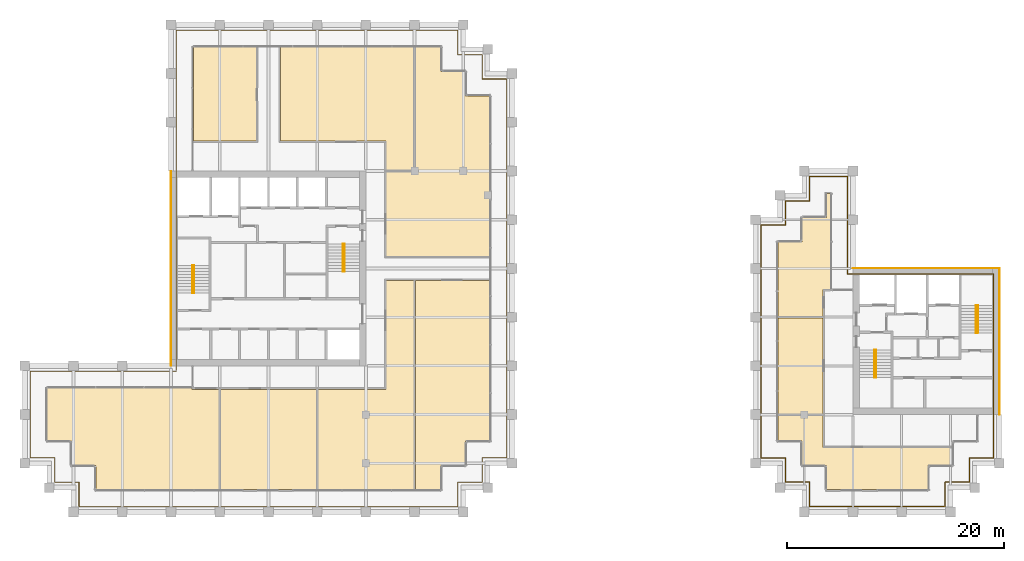
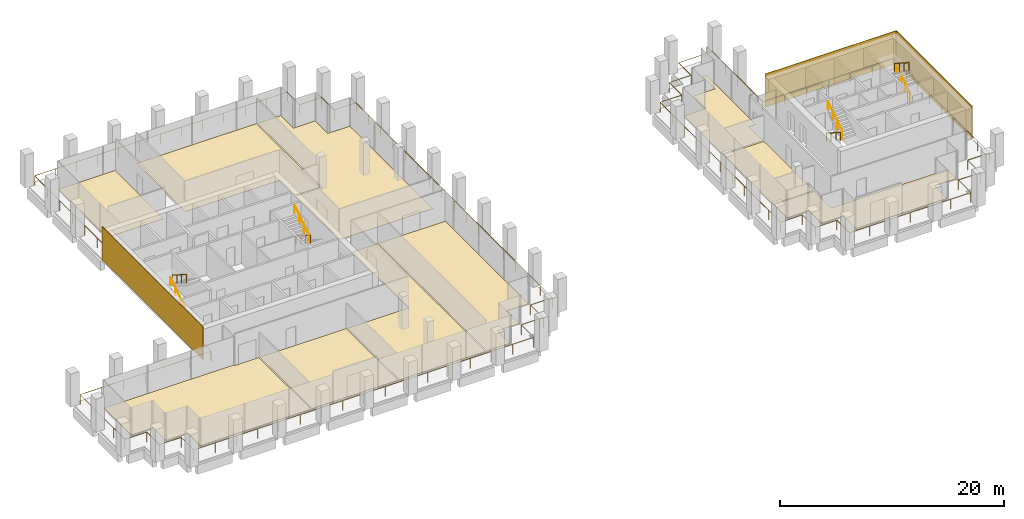
# One storey, part 40 of 40: 13 coverings, 10 railings.
"""IFC4 building model written with IfcOpenShell, lengths in metres."""

from ifc_helpers import new_model, si_unit, direction, frame, origin, origin_2d, place, context, subcontext, project, spatial, polyline, rectangle, circle, outline, extrude, source, transform, mapped, material, layer, layer_set, type_object, element, save


model = new_model("IFC4")

# Units and contexts
model_context = context("Model", 3, precision=1e-05, world=origin(), true_north=direction((0.0, 1.0)))
body_context = subcontext(model_context, "Body", "Model", "MODEL_VIEW")
ifc_project = project(units=[si_unit("LENGTHUNIT", "METRE"), si_unit("AREAUNIT", "SQUARE_METRE"), si_unit("VOLUMEUNIT", "CUBIC_METRE"), si_unit("PLANEANGLEUNIT", "RADIAN"), si_unit("MASSUNIT", "GRAM", prefix="KILO")], contexts=[model_context])

# Site, building, storey
site_placement = place(None, origin())
site = spatial("IfcSite", under=ifc_project, at=site_placement, CompositionType="ELEMENT")
building_placement = place(site_placement, origin())
building = spatial("IfcBuilding", under=site, at=building_placement, Name="Altepetl Exchange Towers", CompositionType="ELEMENT")
storey_placement = place(building_placement, frame((0.0, 0.0, 161.800048828125)))
storey = spatial("IfcBuildingStorey", under=building, at=storey_placement, Name="L40", CompositionType="ELEMENT", Elevation=161.800048828125)

# Coverings
ifc_material_1 = material(Name="Carpet tile")
ifc_layer_1 = layer(ifc_material_1, 0.02001953125)
ifc_layer_set_1 = layer_set([ifc_layer_1], Name="Carpet tile")
covering_type_1 = type_object("IfcCoveringType", Name="Carpet tile floor", PredefinedType="FLOORING", material=ifc_layer_set_1)
covering_1_placement = place(storey_placement, origin())
element("IfcCovering", 1, at=covering_1_placement, inside=storey, type_object=covering_type_1, Name="Interview room floor finish A40.03", PredefinedType="FLOORING", context=body_context, shape_type="SweptSolid", body=[
    extrude(outline(polyline([(62.9375, 29.0625), (62.9375, 48.387451171875), (60.362548828125, 48.387451171875), (60.362548828125, 38.33740234375), (54.0625, 38.33740234375), (54.0625, 29.0625), (62.9375, 29.0625)])), origin(), (0.0, 0.0, 1.0), 0.02001953125),
])
covering_2_placement = place(storey_placement, origin())
element("IfcCovering", 2, at=covering_2_placement, inside=storey, type_object=covering_type_1, Name="Family office floor finish A40.04", PredefinedType="FLOORING", context=body_context, shape_type="SweptSolid", body=[
    extrude(outline(polyline([(67.6875, 33.5625), (69.9375, 33.5625), (69.9375, 48.387451171875), (63.0625, 48.387451171875), (63.0625, 29.0625), (65.4375, 29.0625), (65.4375, 31.3125), (67.6875, 31.3125), (67.6875, 33.5625)])), origin(), (0.0, 0.0, 1.0), 0.02001953125),
])
covering_3_placement = place(storey_placement, origin())
element("IfcCovering", 3, at=covering_3_placement, inside=storey, type_object=covering_type_1, Name="Family office floor finish A40.05", PredefinedType="FLOORING", context=body_context, shape_type="SweptSolid", body=[
    extrude(outline(polyline([(60.362548828125, 50.612548828125), (69.9375, 50.612548828125), (69.9375, 65.4375), (67.6875, 65.4375), (67.6875, 67.6875), (65.4375, 67.6875), (65.4375, 69.9375), (63.0625, 69.9375), (63.0625, 58.4375), (60.362548828125, 58.4375), (60.362548828125, 50.612548828125)])), origin(), (0.0, 0.0, 1.0), 0.02001953125),
])
covering_4_placement = place(storey_placement, origin())
element("IfcCovering", 4, at=covering_4_placement, inside=storey, type_object=covering_type_1, Name="Meeting room floor finish A40.06", PredefinedType="FLOORING", context=body_context, shape_type="SweptSolid", body=[
    extrude(outline(polyline([(60.362548828125, 58.5625), (62.9375, 58.5625), (62.9375, 69.9375), (50.612548828125, 69.9375), (50.612548828125, 61.262451171875), (60.362548828125, 61.262451171875), (60.362548828125, 58.5625)])), origin(), (0.0, 0.0, 1.0), 0.02001953125),
])
covering_5_placement = place(storey_placement, origin())
element("IfcCovering", 5, at=covering_5_placement, inside=storey, type_object=covering_type_1, Name="Pantry floor finish A40.07", PredefinedType="FLOORING", context=body_context, shape_type="SweptSolid", body=[
    extrude(outline(polyline([(42.5625, 61.262451171875), (48.387451171875, 61.262451171875), (48.387451171875, 69.9375), (42.5625, 69.9375), (42.5625, 61.262451171875)])), origin(), (0.0, 0.0, 1.0), 0.02001953125),
])
covering_6_placement = place(storey_placement, origin())
element("IfcCovering", 6, at=covering_6_placement, inside=storey, type_object=covering_type_1, Name="Pantry floor finish B40.01", PredefinedType="FLOORING", context=body_context, shape_type="SweptSolid", body=[
    extrude(outline(polyline([(96.5625, 36.0625), (100.737548828125, 36.0625), (100.737548828125, 44.9375), (96.5625, 44.9375), (96.5625, 36.0625)])), origin(), (0.0, 0.0, 1.0), 0.02001953125),
])
covering_7_placement = place(storey_placement, origin())
element("IfcCovering", 7, at=covering_7_placement, inside=storey, type_object=covering_type_1, Name="Huddle room floor finish B40.03", PredefinedType="FLOORING", context=body_context, shape_type="SweptSolid", body=[
    extrude(outline(polyline([(96.5625, 45.0625), (100.737548828125, 45.0625), (100.737548828125, 47.5625), (101.4375, 47.5625), (101.4375, 56.4375), (101.0625, 56.4375), (101.0625, 54.1875), (98.8125, 54.1875), (98.8125, 51.9375), (96.5625, 51.9375), (96.5625, 45.0625)])), origin(), (0.0, 0.0, 1.0), 0.02001953125),
])
ifc_material_2 = material(Name="Cantera stone", Category="masonry")
ifc_layer_2 = layer(ifc_material_2, 0.030029296875)
ifc_layer_set_2 = layer_set([ifc_layer_2], Name="Cantera stone")
covering_type_2 = type_object("IfcCoveringType", Name="Polished stone floor", PredefinedType="FLOORING", material=ifc_layer_set_2)
covering_8_placement = place(storey_placement, origin())
element("IfcCovering", 8, at=covering_8_placement, inside=storey, type_object=covering_type_2, Name="Library floor finish A40.01", PredefinedType="FLOORING", context=body_context, shape_type="SweptSolid", body=[
    extrude(outline(polyline([(33.5625, 29.0625), (44.9375, 29.0625), (44.9375, 38.33740234375), (42.4375, 38.33740234375), (42.4375, 38.4375), (29.0625, 38.4375), (29.0625, 33.5625), (31.3125, 33.5625), (31.3125, 31.3125), (33.5625, 31.3125), (33.5625, 29.0625)])), origin(), (0.0, 0.0, 1.0), 0.030029296875),
])
covering_9_placement = place(storey_placement, origin())
element("IfcCovering", 9, at=covering_9_placement, inside=storey, type_object=covering_type_2, Name="Lounge floor finish A40.02", PredefinedType="FLOORING", context=body_context, shape_type="SweptSolid", body=[
    extrude(outline(polyline([(45.0625, 38.33740234375), (45.0625, 29.0625), (53.9375, 29.0625), (53.9375, 38.33740234375), (45.0625, 38.33740234375)])), origin(), (0.0, 0.0, 1.0), 0.030029296875),
])
ifc_material_3 = material(Name="Calcium sulphate access floor panel")
ifc_layer_3 = layer(ifc_material_3, 0.0400390625)
ifc_layer_set_3 = layer_set([ifc_layer_3], Name="Calcium sulphate access floor panel")
covering_type_3 = type_object("IfcCoveringType", Name="Raised access floor panels", PredefinedType="FLOORING", material=ifc_layer_set_3)
covering_10_placement = place(storey_placement, origin())
element("IfcCovering", 10, at=covering_10_placement, inside=storey, type_object=covering_type_3, Name="Broker office floor finish B40.02", PredefinedType="FLOORING", context=body_context, shape_type="SweptSolid", body=[
    extrude(outline(polyline([(112.6875, 31.3125), (112.6875, 32.9375), (100.737548828125, 32.9375), (100.737548828125, 35.9375), (96.5625, 35.9375), (96.5625, 33.5625), (98.8125, 33.5625), (98.8125, 31.3125), (101.0625, 31.3125), (101.0625, 29.0625), (110.4375, 29.0625), (110.4375, 31.3125), (112.6875, 31.3125)])), origin(), (0.0, 0.0, 1.0), 0.0400390625),
])
ifc_material_4 = material(Name="Cantera limestone cladding", Category="masonry")
ifc_layer_4 = layer(ifc_material_4, 0.0400390625)
ifc_layer_set_4 = layer_set([ifc_layer_4], Name="Cantera limestone cladding")
covering_type_4 = type_object("IfcCoveringType", Name="Stone panel 40 cantera", PredefinedType="CLADDING", material=ifc_layer_set_4)
covering_11_placement = place(storey_placement, frame((40.47998046875, 49.5, 0.0), z_axis=(0.0, 0.0, 1.0), x_axis=(0.0, -1.0, 0.0)))
element("IfcCovering", 11, at=covering_11_placement, inside=storey, type_object=covering_type_4, Name="Stone cladding panel", PredefinedType="CLADDING", context=body_context, shape_type="SweptSolid", body=[
    extrude(rectangle(XDim=18.0, YDim=0.0400390625, at=origin_2d()), origin(), (0.0, 0.0, 1.0), 3.60009765625),
])
for number, where, z_axis, x_axis, name in (
    (12, (117.02001953125, 42.75, 0.0), (0.0, 0.0, 1.0), (0.0, 1.0, 0.0), "Stone cladding panel"),
    (13, (110.25, 49.52001953125, 0.0), (0.0, 0.0, 1.0), (-1.0, 0.0, 0.0), "Stone cladding panel"),
):
    element("IfcCovering", number, at=place(storey_placement, frame(where, z_axis=z_axis, x_axis=x_axis)), inside=storey, type_object=covering_type_4, Name=name, PredefinedType="CLADDING", context=body_context, shape_type="SweptSolid", body=[
        extrude(rectangle(XDim=13.5, YDim=0.0400390625, at=origin_2d()), origin(), (0.0, 0.0, 1.0), 3.60009765625),
    ])

# Railings
ifc_material_5 = material(Name="Steel S355", Category="steel")
railing_type_1 = type_object("IfcRailingType", Name="Guard 1100 steel posts and rail", PredefinedType="GUARDRAIL", material=ifc_material_5)
shared_shape_1 = source(origin(), body_context, "Body", "SweptSolid", [
    extrude(circle(Radius=0.02099609375, at=origin_2d()), origin(), (0.0, 0.0, 1.0), 1.052001953125),
])
railing_1_placement = place(storey_placement, frame((41.0, 40.0, 0.0)))
element("IfcRailing", 14, at=railing_1_placement, inside=storey, type_object=railing_type_1, Name="Loggia guard", PredefinedType="GUARDRAIL", context=body_context, shape_type="SweptSolid", body=[
    extrude(circle(Radius=0.02392578125, at=origin_2d()), frame((0.0, 0.0, 1.076171875), z_axis=(-1.0, 0.0, 0.0), x_axis=(0.0, -1.0, 0.0)), (0.0, 0.0, 1.0), 13.5),
    extrude(circle(Radius=0.02392578125, at=origin_2d()), frame((-13.5, 0.0, 1.076171875), z_axis=(0.0, -1.0, 0.0), x_axis=(1.0, 0.0, 0.0)), (0.0, 0.0, 1.0), 8.0),
    extrude(circle(Radius=0.02392578125, at=origin_2d()), frame((-13.5, -8.0, 1.076171875), z_axis=(1.0, 0.0, 0.0), x_axis=(0.0, 1.0, 0.0)), (0.0, 0.0, 1.0), 2.25),
    extrude(circle(Radius=0.02392578125, at=origin_2d()), frame((-11.25, -8.0, 1.076171875), z_axis=(0.0, -1.0, 0.0), x_axis=(1.0, 0.0, 0.0)), (0.0, 0.0, 1.0), 2.25),
    extrude(circle(Radius=0.02392578125, at=origin_2d()), frame((-11.25, -10.25, 1.076171875), z_axis=(1.0, 0.0, 0.0), x_axis=(0.0, 1.0, 0.0)), (0.0, 0.0, 1.0), 2.25),
    extrude(circle(Radius=0.02392578125, at=origin_2d()), frame((-9.0, -10.25, 1.076171875), z_axis=(0.0, -1.0, 0.0), x_axis=(1.0, 0.0, 0.0)), (0.0, 0.0, 1.0), 2.25),
    extrude(circle(Radius=0.02392578125, at=origin_2d()), frame((-9.0, -12.5, 1.076171875), z_axis=(1.0, 0.0, 0.0), x_axis=(0.0, 1.0, 0.0)), (0.0, 0.0, 1.0), 35.0),
    extrude(circle(Radius=0.02392578125, at=origin_2d()), frame((26.0, -12.5, 1.076171875), z_axis=(0.0, 1.0, 0.0), x_axis=(-1.0, 0.0, 0.0)), (0.0, 0.0, 1.0), 2.25),
    extrude(circle(Radius=0.02392578125, at=origin_2d()), frame((26.0, -10.25, 1.076171875), z_axis=(1.0, 0.0, 0.0), x_axis=(0.0, 1.0, 0.0)), (0.0, 0.0, 1.0), 2.25),
    extrude(circle(Radius=0.02392578125, at=origin_2d()), frame((28.25, -10.25, 1.076171875), z_axis=(0.0, 1.0, 0.0), x_axis=(-1.0, 0.0, 0.0)), (0.0, 0.0, 1.0), 2.25),
    extrude(circle(Radius=0.02392578125, at=origin_2d()), frame((28.25, -8.0, 1.076171875), z_axis=(1.0, 0.0, 0.0), x_axis=(0.0, 1.0, 0.0)), (0.0, 0.0, 1.0), 2.25),
    extrude(circle(Radius=0.02392578125, at=origin_2d()), frame((30.5, -8.0, 1.076171875), z_axis=(0.0, 1.0, 0.0), x_axis=(-1.0, 0.0, 0.0)), (0.0, 0.0, 1.0), 35.0),
    extrude(circle(Radius=0.02392578125, at=origin_2d()), frame((30.5, 27.0, 1.076171875), z_axis=(-1.0, 0.0, 0.0), x_axis=(0.0, -1.0, 0.0)), (0.0, 0.0, 1.0), 2.25),
    extrude(circle(Radius=0.02392578125, at=origin_2d()), frame((28.25, 27.0, 1.076171875), z_axis=(0.0, 1.0, 0.0), x_axis=(-1.0, 0.0, 0.0)), (0.0, 0.0, 1.0), 2.25),
    extrude(circle(Radius=0.02392578125, at=origin_2d()), frame((28.25, 29.25, 1.076171875), z_axis=(-1.0, 0.0, 0.0), x_axis=(0.0, -1.0, 0.0)), (0.0, 0.0, 1.0), 2.25),
    extrude(circle(Radius=0.02392578125, at=origin_2d()), frame((26.0, 29.25, 1.076171875), z_axis=(0.0, 1.0, 0.0), x_axis=(-1.0, 0.0, 0.0)), (0.0, 0.0, 1.0), 2.25),
    extrude(circle(Radius=0.02392578125, at=origin_2d()), frame((26.0, 31.5, 1.076171875), z_axis=(-1.0, 0.0, 0.0), x_axis=(0.0, -1.0, 0.0)), (0.0, 0.0, 1.0), 26.0),
    extrude(circle(Radius=0.02392578125, at=origin_2d()), frame((0.0, 31.5, 1.076171875), z_axis=(0.0, -1.0, 0.0), x_axis=(1.0, 0.0, 0.0)), (0.0, 0.0, 1.0), 31.39990234375),
    mapped(shared_shape_1, transform((0.0, 0.0, 0.0))),
    mapped(shared_shape_1, transform((-2.25, 0.0, 0.0))),
    mapped(shared_shape_1, transform((-4.5, 0.0, 0.0))),
    mapped(shared_shape_1, transform((-6.75, 0.0, 0.0))),
    mapped(shared_shape_1, transform((-9.0, 0.0, 0.0))),
    mapped(shared_shape_1, transform((-11.25, 0.0, 0.0))),
    mapped(shared_shape_1, transform((-13.5, 0.0, 0.0))),
    mapped(shared_shape_1, transform((-13.5, -2.0, 0.0))),
    mapped(shared_shape_1, transform((-13.5, -4.0, 0.0))),
    mapped(shared_shape_1, transform((-13.5, -6.0, 0.0))),
    mapped(shared_shape_1, transform((-13.5, -8.0, 0.0))),
    mapped(shared_shape_1, transform((-11.25, -8.0, 0.0))),
    mapped(shared_shape_1, transform((-11.25, -10.25, 0.0))),
    mapped(shared_shape_1, transform((-9.0, -10.25, 0.0))),
    mapped(shared_shape_1, transform((-9.0, -12.5, 0.0))),
    mapped(shared_shape_1, transform((-6.8125, -12.5, 0.0))),
    mapped(shared_shape_1, transform((-4.625, -12.5, 0.0))),
    mapped(shared_shape_1, transform((-2.4375, -12.5, 0.0))),
    mapped(shared_shape_1, transform((-0.25, -12.5, 0.0))),
    mapped(shared_shape_1, transform((1.9375, -12.5, 0.0))),
    mapped(shared_shape_1, transform((4.125, -12.5, 0.0))),
    mapped(shared_shape_1, transform((6.3125, -12.5, 0.0))),
    mapped(shared_shape_1, transform((8.5, -12.5, 0.0))),
    mapped(shared_shape_1, transform((10.6875, -12.5, 0.0))),
    mapped(shared_shape_1, transform((12.875, -12.5, 0.0))),
    mapped(shared_shape_1, transform((15.0625, -12.5, 0.0))),
    mapped(shared_shape_1, transform((17.25, -12.5, 0.0))),
    mapped(shared_shape_1, transform((19.4375, -12.5, 0.0))),
    mapped(shared_shape_1, transform((21.625, -12.5, 0.0))),
    mapped(shared_shape_1, transform((23.8125, -12.5, 0.0))),
    mapped(shared_shape_1, transform((26.0, -12.5, 0.0))),
    mapped(shared_shape_1, transform((26.0, -10.25, 0.0))),
    mapped(shared_shape_1, transform((28.25, -10.25, 0.0))),
    mapped(shared_shape_1, transform((28.25, -8.0, 0.0))),
    mapped(shared_shape_1, transform((30.5, -8.0, 0.0))),
    mapped(shared_shape_1, transform((30.5, -5.8125, 0.0))),
    mapped(shared_shape_1, transform((30.5, -3.625, 0.0))),
    mapped(shared_shape_1, transform((30.5, -1.4375, 0.0))),
    mapped(shared_shape_1, transform((30.5, 0.75, 0.0))),
    mapped(shared_shape_1, transform((30.5, 2.9375, 0.0))),
    mapped(shared_shape_1, transform((30.5, 5.125, 0.0))),
    mapped(shared_shape_1, transform((30.5, 7.3125, 0.0))),
    mapped(shared_shape_1, transform((30.5, 9.5, 0.0))),
    mapped(shared_shape_1, transform((30.5, 11.6875, 0.0))),
    mapped(shared_shape_1, transform((30.5, 13.875, 0.0))),
    mapped(shared_shape_1, transform((30.5, 16.0625, 0.0))),
    mapped(shared_shape_1, transform((30.5, 18.25, 0.0))),
    mapped(shared_shape_1, transform((30.5, 20.4375, 0.0))),
    mapped(shared_shape_1, transform((30.5, 22.625, 0.0))),
    mapped(shared_shape_1, transform((30.5, 24.8125, 0.0))),
    mapped(shared_shape_1, transform((30.5, 27.0, 0.0))),
    mapped(shared_shape_1, transform((28.25, 27.0, 0.0))),
    mapped(shared_shape_1, transform((28.25, 29.25, 0.0))),
    mapped(shared_shape_1, transform((26.0, 29.25, 0.0))),
    mapped(shared_shape_1, transform((26.0, 31.5, 0.0))),
    mapped(shared_shape_1, transform((23.833251953125, 31.5, 0.0))),
    mapped(shared_shape_1, transform((21.666748046875, 31.5, 0.0))),
    mapped(shared_shape_1, transform((19.5, 31.5, 0.0))),
    mapped(shared_shape_1, transform((17.333251953125, 31.5, 0.0))),
    mapped(shared_shape_1, transform((15.166748046875, 31.5, 0.0))),
    mapped(shared_shape_1, transform((13.0, 31.5, 0.0))),
    mapped(shared_shape_1, transform((10.833251953125, 31.5, 0.0))),
    mapped(shared_shape_1, transform((8.666748046875, 31.5, 0.0))),
    mapped(shared_shape_1, transform((6.5, 31.5, 0.0))),
    mapped(shared_shape_1, transform((4.333251953125, 31.5, 0.0))),
    mapped(shared_shape_1, transform((2.166748046875, 31.5, 0.0))),
    mapped(shared_shape_1, transform((0.0, 31.5, 0.0))),
    mapped(shared_shape_1, transform((0.0, 29.257080078125, 0.0))),
    mapped(shared_shape_1, transform((0.0, 27.014404296875, 0.0))),
    mapped(shared_shape_1, transform((0.0, 24.771484375, 0.0))),
    mapped(shared_shape_1, transform((0.0, 22.528564453125, 0.0))),
    mapped(shared_shape_1, transform((0.0, 20.28564453125, 0.0))),
    mapped(shared_shape_1, transform((0.0, 18.04296875, 0.0))),
    mapped(shared_shape_1, transform((0.0, 15.800048828125, 0.0))),
    mapped(shared_shape_1, transform((0.0, 13.55712890625, 0.0))),
    mapped(shared_shape_1, transform((0.0, 11.314453125, 0.0))),
    mapped(shared_shape_1, transform((0.0, 9.071533203125, 0.0))),
    mapped(shared_shape_1, transform((0.0, 6.82861328125, 0.0))),
    mapped(shared_shape_1, transform((0.0, 4.585693359375, 0.0))),
    mapped(shared_shape_1, transform((0.0, 2.343017578125, 0.0))),
    mapped(shared_shape_1, transform((0.0, 0.10009765625, 0.0))),
])
railing_2_placement = place(storey_placement, frame((99.5, 27.5, 0.0)))
element("IfcRailing", 15, at=railing_2_placement, inside=storey, type_object=railing_type_1, Name="Loggia guard", PredefinedType="GUARDRAIL", context=body_context, shape_type="SweptSolid", body=[
    extrude(circle(Radius=0.02392578125, at=origin_2d()), frame((0.0, 0.0, 1.076171875), z_axis=(1.0, 0.0, 0.0), x_axis=(0.0, 1.0, 0.0)), (0.0, 0.0, 1.0), 12.5),
    extrude(circle(Radius=0.02392578125, at=origin_2d()), frame((12.5, 0.0, 1.076171875), z_axis=(0.0, 1.0, 0.0), x_axis=(-1.0, 0.0, 0.0)), (0.0, 0.0, 1.0), 2.25),
    extrude(circle(Radius=0.02392578125, at=origin_2d()), frame((12.5, 2.25, 1.076171875), z_axis=(1.0, 0.0, 0.0), x_axis=(0.0, 1.0, 0.0)), (0.0, 0.0, 1.0), 2.25),
    extrude(circle(Radius=0.02392578125, at=origin_2d()), frame((14.75, 2.25, 1.076171875), z_axis=(0.0, 1.0, 0.0), x_axis=(-1.0, 0.0, 0.0)), (0.0, 0.0, 1.0), 2.25),
    extrude(circle(Radius=0.02392578125, at=origin_2d()), frame((14.75, 4.5, 1.076171875), z_axis=(1.0, 0.0, 0.0), x_axis=(0.0, 1.0, 0.0)), (0.0, 0.0, 1.0), 2.25),
    extrude(circle(Radius=0.02392578125, at=origin_2d()), frame((17.0, 4.5, 1.076171875), z_axis=(0.0, 1.0, 0.0), x_axis=(-1.0, 0.0, 0.0)), (0.0, 0.0, 1.0), 17.0),
    extrude(circle(Radius=0.02392578125, at=origin_2d()), frame((17.0, 21.5, 1.076171875), z_axis=(-1.0, 0.0, 0.0), x_axis=(0.0, -1.0, 0.0)), (0.0, 0.0, 1.0), 13.5),
    extrude(circle(Radius=0.02392578125, at=origin_2d()), frame((3.5, 21.5, 1.076171875), z_axis=(0.0, 1.0, 0.0), x_axis=(-1.0, 0.0, 0.0)), (0.0, 0.0, 1.0), 9.0),
    extrude(circle(Radius=0.02392578125, at=origin_2d()), frame((3.5, 30.5, 1.076171875), z_axis=(-1.0, 0.0, 0.0), x_axis=(0.0, -1.0, 0.0)), (0.0, 0.0, 1.0), 3.5),
    extrude(circle(Radius=0.02392578125, at=origin_2d()), frame((0.0, 30.5, 1.076171875), z_axis=(0.0, -1.0, 0.0), x_axis=(1.0, 0.0, 0.0)), (0.0, 0.0, 1.0), 2.25),
    extrude(circle(Radius=0.02392578125, at=origin_2d()), frame((0.0, 28.25, 1.076171875), z_axis=(-1.0, 0.0, 0.0), x_axis=(0.0, -1.0, 0.0)), (0.0, 0.0, 1.0), 2.25),
    extrude(circle(Radius=0.02392578125, at=origin_2d()), frame((-2.25, 28.25, 1.076171875), z_axis=(0.0, -1.0, 0.0), x_axis=(1.0, 0.0, 0.0)), (0.0, 0.0, 1.0), 2.25),
    extrude(circle(Radius=0.02392578125, at=origin_2d()), frame((-2.25, 26.0, 1.076171875), z_axis=(-1.0, 0.0, 0.0), x_axis=(0.0, -1.0, 0.0)), (0.0, 0.0, 1.0), 2.25),
    extrude(circle(Radius=0.02392578125, at=origin_2d()), frame((-4.5, 26.0, 1.076171875), z_axis=(0.0, -1.0, 0.0), x_axis=(1.0, 0.0, 0.0)), (0.0, 0.0, 1.0), 21.5),
    extrude(circle(Radius=0.02392578125, at=origin_2d()), frame((-4.5, 4.5, 1.076171875), z_axis=(1.0, 0.0, 0.0), x_axis=(0.0, 1.0, 0.0)), (0.0, 0.0, 1.0), 2.25),
    extrude(circle(Radius=0.02392578125, at=origin_2d()), frame((-2.25, 4.5, 1.076171875), z_axis=(0.0, -1.0, 0.0), x_axis=(1.0, 0.0, 0.0)), (0.0, 0.0, 1.0), 2.25),
    extrude(circle(Radius=0.02392578125, at=origin_2d()), frame((-2.25, 2.25, 1.076171875), z_axis=(1.0, 0.0, 0.0), x_axis=(0.0, 1.0, 0.0)), (0.0, 0.0, 1.0), 2.25),
    extrude(circle(Radius=0.02392578125, at=origin_2d()), frame((0.0, 2.25, 1.076171875), z_axis=(0.0, -1.0, 0.0), x_axis=(1.0, 0.0, 0.0)), (0.0, 0.0, 1.0), 2.14990234375),
    mapped(shared_shape_1, transform((0.0, 0.0, 0.0))),
    mapped(shared_shape_1, transform((2.083251953125, 0.0, 0.0))),
    mapped(shared_shape_1, transform((4.166748046875, 0.0, 0.0))),
    mapped(shared_shape_1, transform((6.25, 0.0, 0.0))),
    mapped(shared_shape_1, transform((8.333251953125, 0.0, 0.0))),
    mapped(shared_shape_1, transform((10.416748046875, 0.0, 0.0))),
    mapped(shared_shape_1, transform((12.5, 0.0, 0.0))),
    mapped(shared_shape_1, transform((12.5, 2.25, 0.0))),
    mapped(shared_shape_1, transform((14.75, 2.25, 0.0))),
    mapped(shared_shape_1, transform((14.75, 4.5, 0.0))),
    mapped(shared_shape_1, transform((17.0, 4.5, 0.0))),
    mapped(shared_shape_1, transform((17.0, 6.625, 0.0))),
    mapped(shared_shape_1, transform((17.0, 8.75, 0.0))),
    mapped(shared_shape_1, transform((17.0, 10.875, 0.0))),
    mapped(shared_shape_1, transform((17.0, 13.0, 0.0))),
    mapped(shared_shape_1, transform((17.0, 15.125, 0.0))),
    mapped(shared_shape_1, transform((17.0, 17.25, 0.0))),
    mapped(shared_shape_1, transform((17.0, 19.375, 0.0))),
    mapped(shared_shape_1, transform((17.0, 21.5, 0.0))),
    mapped(shared_shape_1, transform((14.75, 21.5, 0.0))),
    mapped(shared_shape_1, transform((12.5, 21.5, 0.0))),
    mapped(shared_shape_1, transform((10.25, 21.5, 0.0))),
    mapped(shared_shape_1, transform((8.0, 21.5, 0.0))),
    mapped(shared_shape_1, transform((5.75, 21.5, 0.0))),
    mapped(shared_shape_1, transform((3.5, 21.5, 0.0))),
    mapped(shared_shape_1, transform((3.5, 23.75, 0.0))),
    mapped(shared_shape_1, transform((3.5, 26.0, 0.0))),
    mapped(shared_shape_1, transform((3.5, 28.25, 0.0))),
    mapped(shared_shape_1, transform((3.5, 30.5, 0.0))),
    mapped(shared_shape_1, transform((1.75, 30.5, 0.0))),
    mapped(shared_shape_1, transform((0.0, 30.5, 0.0))),
    mapped(shared_shape_1, transform((0.0, 28.25, 0.0))),
    mapped(shared_shape_1, transform((-2.25, 28.25, 0.0))),
    mapped(shared_shape_1, transform((-2.25, 26.0, 0.0))),
    mapped(shared_shape_1, transform((-4.5, 26.0, 0.0))),
    mapped(shared_shape_1, transform((-4.5, 23.85009765625, 0.0))),
    mapped(shared_shape_1, transform((-4.5, 21.699951171875, 0.0))),
    mapped(shared_shape_1, transform((-4.5, 19.550048828125, 0.0))),
    mapped(shared_shape_1, transform((-4.5, 17.39990234375, 0.0))),
    mapped(shared_shape_1, transform((-4.5, 15.25, 0.0))),
    mapped(shared_shape_1, transform((-4.5, 13.10009765625, 0.0))),
    mapped(shared_shape_1, transform((-4.5, 10.949951171875, 0.0))),
    mapped(shared_shape_1, transform((-4.5, 8.800048828125, 0.0))),
    mapped(shared_shape_1, transform((-4.5, 6.64990234375, 0.0))),
    mapped(shared_shape_1, transform((-4.5, 4.5, 0.0))),
    mapped(shared_shape_1, transform((-2.25, 4.5, 0.0))),
    mapped(shared_shape_1, transform((-2.25, 2.25, 0.0))),
    mapped(shared_shape_1, transform((0.0, 2.25, 0.0))),
    mapped(shared_shape_1, transform((0.0, 0.10009765625, 0.0))),
])
ifc_material_6 = material(Name="Steel", Category="steel")
railing_type_2 = type_object("IfcRailingType", Name="Stair handrail 50 steel tube", PredefinedType="HANDRAIL", material=ifc_material_6)
shared_shape_2 = source(origin(), body_context, "Body", "SweptSolid", [
    extrude(circle(Radius=0.02099609375, at=origin_2d()), origin(), (0.0, 0.0, 1.0), 0.851806640625),
])
railing_3_placement = place(storey_placement, frame((42.469970703125, 47.25, 0.179931640625)))
element("IfcRailing", 16, at=railing_3_placement, inside=storey, type_object=railing_type_2, Name="Stair handrail", PredefinedType="HANDRAIL", context=body_context, shape_type="SweptSolid", body=[
    extrude(circle(Radius=0.02392578125, at=origin_2d()), frame((0.0, 0.0, 0.8759765625), z_axis=(0.0, 0.841162588446, 0.540782303519), x_axis=(-1.0, 0.0, 0.0)), (0.0, 0.0, 1.0), 2.995849609375),
    mapped(shared_shape_2, transform((0.0, 0.0, 0.0))),
    mapped(shared_shape_2, transform((0.0, 0.840087890625, 0.5400390625))),
    mapped(shared_shape_2, transform((0.0, 1.679931640625, 1.080078125))),
    mapped(shared_shape_2, transform((0.0, 2.52001953125, 1.6201171875))),
])
railing_4_placement = place(storey_placement, frame((42.6298828125, 49.77001953125, 1.97998046875)))
element("IfcRailing", 17, at=railing_4_placement, inside=storey, type_object=railing_type_2, Name="Stair handrail", PredefinedType="HANDRAIL", context=body_context, shape_type="SweptSolid", body=[
    extrude(circle(Radius=0.02392578125, at=origin_2d()), frame((0.0, 0.0, 0.8759765625), z_axis=(0.0, -0.841199657755, 0.540724639528), x_axis=(1.0, 0.0, 0.0)), (0.0, 0.0, 1.0), 2.995849609375),
    mapped(shared_shape_2, transform((0.0, 0.0, 0.0))),
    mapped(shared_shape_2, transform((0.0, -0.840087890625, 0.5400390625))),
    mapped(shared_shape_2, transform((0.0, -1.679931640625, 1.079833984375))),
    mapped(shared_shape_2, transform((0.0, -2.52001953125, 1.619873046875))),
])
railing_5_placement = place(storey_placement, frame((56.530029296875, 51.75, 0.179931640625)))
element("IfcRailing", 18, at=railing_5_placement, inside=storey, type_object=railing_type_2, Name="Stair handrail", PredefinedType="HANDRAIL", context=body_context, shape_type="SweptSolid", body=[
    extrude(circle(Radius=0.02392578125, at=origin_2d()), frame((0.0, 0.0, 0.8759765625), z_axis=(0.0, -0.841162588446, 0.540782303519), x_axis=(1.0, 0.0, 0.0)), (0.0, 0.0, 1.0), 2.995849609375),
    mapped(shared_shape_2, transform((0.0, 0.0, 0.0))),
    mapped(shared_shape_2, transform((0.0, -0.840087890625, 0.5400390625))),
    mapped(shared_shape_2, transform((0.0, -1.679931640625, 1.080078125))),
    mapped(shared_shape_2, transform((0.0, -2.52001953125, 1.6201171875))),
])
railing_6_placement = place(storey_placement, frame((56.3701171875, 49.22998046875, 1.97998046875)))
element("IfcRailing", 19, at=railing_6_placement, inside=storey, type_object=railing_type_2, Name="Stair handrail", PredefinedType="HANDRAIL", context=body_context, shape_type="SweptSolid", body=[
    extrude(circle(Radius=0.02392578125, at=origin_2d()), frame((0.0, 0.0, 0.8759765625), z_axis=(0.0, 0.841199657755, 0.540724639528), x_axis=(-1.0, 0.0, 0.0)), (0.0, 0.0, 1.0), 2.995849609375),
    mapped(shared_shape_2, transform((0.0, 0.0, 0.0))),
    mapped(shared_shape_2, transform((0.0, 0.840087890625, 0.5400390625))),
    mapped(shared_shape_2, transform((0.0, 1.679931640625, 1.079833984375))),
    mapped(shared_shape_2, transform((0.0, 2.52001953125, 1.619873046875))),
])
railing_7_placement = place(storey_placement, frame((105.469970703125, 41.949951171875, 0.179931640625)))
element("IfcRailing", 20, at=railing_7_placement, inside=storey, type_object=railing_type_2, Name="Stair handrail", PredefinedType="HANDRAIL", context=body_context, shape_type="SweptSolid", body=[
    extrude(circle(Radius=0.02392578125, at=origin_2d()), frame((0.0, 0.0, 0.8759765625), z_axis=(0.0, -0.841162588446, 0.540782303519), x_axis=(1.0, 0.0, 0.0)), (0.0, 0.0, 1.0), 2.995849609375),
    mapped(shared_shape_2, transform((0.0, 0.0, 0.0))),
    mapped(shared_shape_2, transform((0.0, -0.840087890625, 0.5400390625))),
    mapped(shared_shape_2, transform((0.0, -1.679931640625, 1.080078125))),
    mapped(shared_shape_2, transform((0.0, -2.52001953125, 1.6201171875))),
])
railing_8_placement = place(storey_placement, frame((105.6298828125, 39.429931640625, 1.97998046875)))
element("IfcRailing", 21, at=railing_8_placement, inside=storey, type_object=railing_type_2, Name="Stair handrail", PredefinedType="HANDRAIL", context=body_context, shape_type="SweptSolid", body=[
    extrude(circle(Radius=0.02392578125, at=origin_2d()), frame((0.0, 0.0, 0.8759765625), z_axis=(0.0, 0.841199657755, 0.540724639528), x_axis=(-1.0, 0.0, 0.0)), (0.0, 0.0, 1.0), 2.995849609375),
    mapped(shared_shape_2, transform((0.0, 0.0, 0.0))),
    mapped(shared_shape_2, transform((0.0, 0.840087890625, 0.5400390625))),
    mapped(shared_shape_2, transform((0.0, 1.679931640625, 1.079833984375))),
    mapped(shared_shape_2, transform((0.0, 2.52001953125, 1.619873046875))),
])
railing_9_placement = place(storey_placement, frame((115.030029296875, 43.550048828125, 0.179931640625)))
element("IfcRailing", 22, at=railing_9_placement, inside=storey, type_object=railing_type_2, Name="Stair handrail", PredefinedType="HANDRAIL", context=body_context, shape_type="SweptSolid", body=[
    extrude(circle(Radius=0.02392578125, at=origin_2d()), frame((0.0, 0.0, 0.8759765625), z_axis=(0.0, 0.841162588446, 0.540782303519), x_axis=(-1.0, 0.0, 0.0)), (0.0, 0.0, 1.0), 2.995849609375),
    mapped(shared_shape_2, transform((0.0, 0.0, 0.0))),
    mapped(shared_shape_2, transform((0.0, 0.840087890625, 0.5400390625))),
    mapped(shared_shape_2, transform((0.0, 1.679931640625, 1.080078125))),
    mapped(shared_shape_2, transform((0.0, 2.52001953125, 1.6201171875))),
])
railing_10_placement = place(storey_placement, frame((114.8701171875, 46.070068359375, 1.97998046875)))
element("IfcRailing", 23, at=railing_10_placement, inside=storey, type_object=railing_type_2, Name="Stair handrail", PredefinedType="HANDRAIL", context=body_context, shape_type="SweptSolid", body=[
    extrude(circle(Radius=0.02392578125, at=origin_2d()), frame((0.0, 0.0, 0.8759765625), z_axis=(0.0, -0.841199657755, 0.540724639528), x_axis=(1.0, 0.0, 0.0)), (0.0, 0.0, 1.0), 2.995849609375),
    mapped(shared_shape_2, transform((0.0, 0.0, 0.0))),
    mapped(shared_shape_2, transform((0.0, -0.840087890625, 0.5400390625))),
    mapped(shared_shape_2, transform((0.0, -1.679931640625, 1.079833984375))),
    mapped(shared_shape_2, transform((0.0, -2.52001953125, 1.619873046875))),
])

save(model, "model.ifc")
